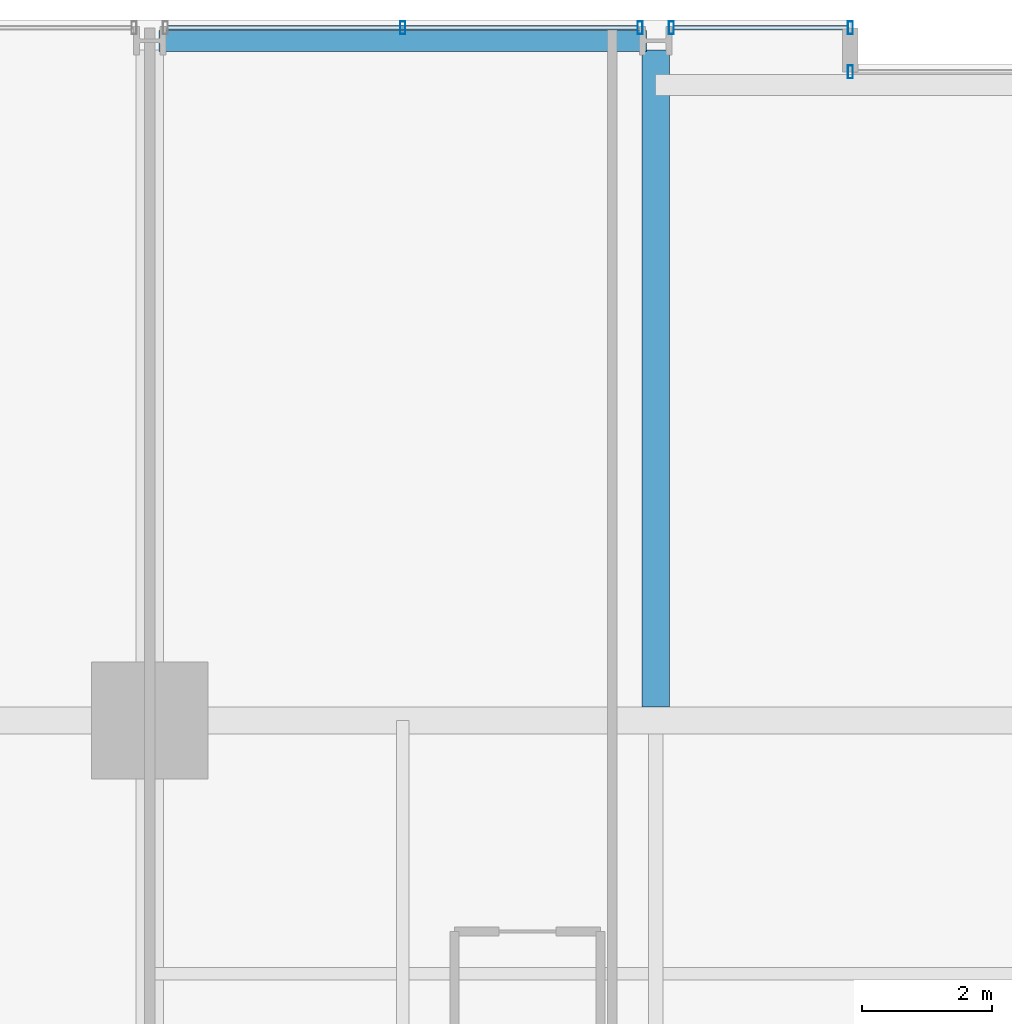
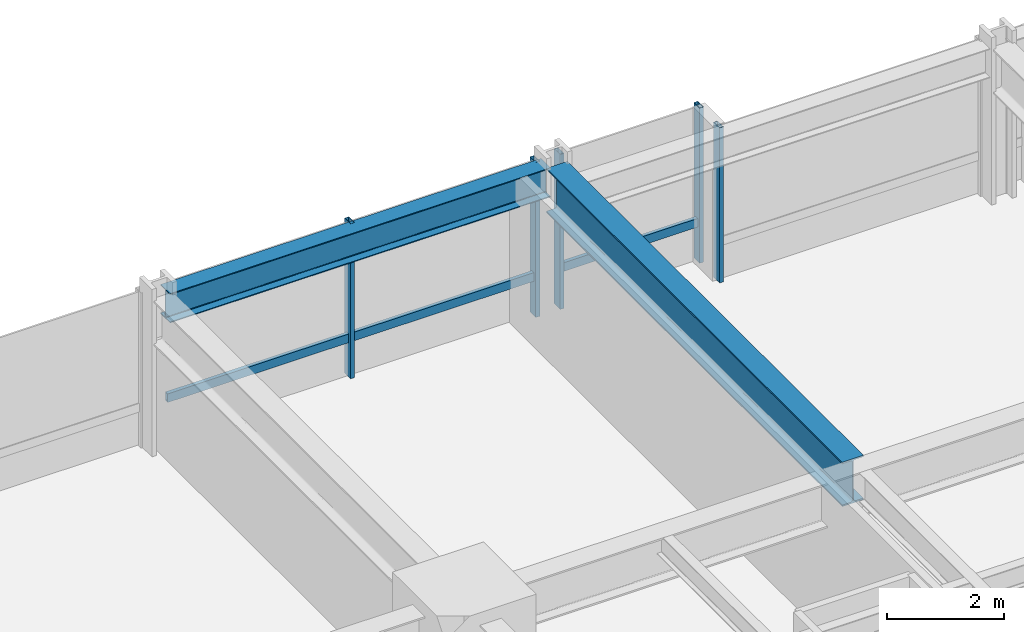
# One storey, part 22 of 38: 7 members, 2 beams, 3 elements without a shape of their own.
"""IFC4 building model written with IfcOpenShell, lengths in metres."""

from ifc_helpers import new_model, si_unit, direction, frame, origin, origin_2d, place, context, subcontext, project, spatial, hollow_rectangle, i_section, extrude, material, layer, layer_set, material_profile, profile_set, type_object, element, aggregate, save


model = new_model("IFC4")

# Units and contexts
model_context = context("Model", 3, precision=1e-05, world=origin(), true_north=direction((0.0, 1.0)))
body_context = subcontext(model_context, "Body", "Model", "MODEL_VIEW")
ifc_project = project(units=[si_unit("LENGTHUNIT", "METRE"), si_unit("AREAUNIT", "SQUARE_METRE"), si_unit("VOLUMEUNIT", "CUBIC_METRE"), si_unit("PLANEANGLEUNIT", "RADIAN"), si_unit("MASSUNIT", "GRAM", prefix="KILO")], contexts=[model_context])

# Site, building, storey
site_placement = place(None, origin())
site = spatial("IfcSite", under=ifc_project, at=site_placement, CompositionType="ELEMENT")
building_placement = place(site_placement, origin())
building = spatial("IfcBuilding", under=site, at=building_placement, Name="Drelvath Grand Hotel", CompositionType="ELEMENT")
storey_placement = place(building_placement, frame((0.0, 0.0, 50.699951171875)))
storey = spatial("IfcBuildingStorey", under=building, at=storey_placement, Name="L11", CompositionType="ELEMENT", Elevation=50.699951171875)

# Curtain wall, member
ifc_material_1 = material(Name="Warm Bronze Anodised Aluminium Frame", Category="aluminium")
ifc_layer = layer(ifc_material_1, 0.199951171875)
ifc_layer_set = layer_set([ifc_layer], Name="Warm Bronze Anodised Aluminium Frame")
curtain_wall_type = type_object("IfcCurtainWallType", Name="Stick Curtain Wall CW-02 Warm Bronze Low-Rise", PredefinedType="NOTDEFINED", material=ifc_layer_set)
curtain_wall_1_placement = place(storey_placement, origin())
curtain_wall_1 = element("IfcCurtainWall", 1, at=curtain_wall_1_placement, inside=storey, type_object=curtain_wall_type, Name="L11 CW-02 Curtain Wall CW02-L11-NW2", PredefinedType="NOTDEFINED")
ifc_material_profile_1 = material_profile(ifc_material_1, hollow_rectangle(XDim=0.074951171875, YDim=0.179931640625, WallThickness=0.0048828125, at=origin_2d()), Name="HSS180X75X5")
ifc_profile_set_1 = profile_set([ifc_material_profile_1], Name="Warm Bronze Anodised Aluminium Frame")
member_type_1 = type_object("IfcMemberType", Name="Curtain Wall Horizontal Transom CW-02 HSS180X75X5", PredefinedType="USERDEFINED", material=ifc_profile_set_1)
member_1_placement = place(storey_placement, frame((-15.919189453125, 53.8798828125, 0.81005859375), z_axis=(1.0, 0.0, 0.0), x_axis=(0.0, 1.0, 0.0)))
member_1 = element("IfcMember", 2, at=member_1_placement, type_object=member_type_1, Name="CW02-L11-NW2 Sill Transom", ObjectType="TRANSOM", PredefinedType="USERDEFINED", context=body_context, shape_type="SweptSolid", body=[
    extrude(hollow_rectangle(XDim=0.074951171875, YDim=0.179931640625, WallThickness=0.0048828125, at=origin_2d()), origin(), (0.0, 0.0, 1.0), 7.23828125),
])

curtain_wall_2_placement = place(storey_placement, origin())
curtain_wall_2 = element("IfcCurtainWall", 3, at=curtain_wall_2_placement, inside=storey, type_object=curtain_wall_type, Name="L11 CW-02 Curtain Wall CW02-L11-NW3", PredefinedType="NOTDEFINED")
member_2_placement = place(storey_placement, frame((-8.119140625, 53.8798828125, 0.81005859375), z_axis=(1.0, 0.0, 0.0), x_axis=(0.0, 1.0, 0.0)))
member_2 = element("IfcMember", 4, at=member_2_placement, type_object=member_type_1, Name="CW02-L11-NW3 Sill Transom", ObjectType="TRANSOM", PredefinedType="USERDEFINED", context=body_context, shape_type="SweptSolid", body=[
    extrude(hollow_rectangle(XDim=0.074951171875, YDim=0.179931640625, WallThickness=0.0048828125, at=origin_2d()), origin(), (0.0, 0.0, 1.0), 2.67919921875),
])

# Member
ifc_material_profile_2 = material_profile(ifc_material_1, hollow_rectangle(XDim=0.080078125, YDim=0.199951171875, WallThickness=0.0048828125, at=origin_2d()), Name="HSS200X80X5")
ifc_profile_set_2 = profile_set([ifc_material_profile_2], Name="Warm Bronze Anodised Aluminium Frame")
member_type_2 = type_object("IfcMemberType", Name="Curtain Wall Vertical Mullion CW-02 HSS200X80X5", PredefinedType="MULLION", material=ifc_profile_set_2)
member_3_placement = place(storey_placement, frame((-12.300048828125, 53.8798828125, 0.0), z_axis=(0.0, 0.0, 1.0), x_axis=(1.0, 0.0, 0.0)))
member_3 = element("IfcMember", 5, at=member_3_placement, type_object=member_type_2, Name="CW02-L11-NW2 Mullion 2", PredefinedType="MULLION", context=body_context, shape_type="SweptSolid", body=[
    extrude(hollow_rectangle(XDim=0.080078125, YDim=0.199951171875, WallThickness=0.0048828125, at=origin_2d()), origin(), (0.0, 0.0, 1.0), 3.239990234375),
])

member_4_placement = place(storey_placement, frame((-8.640869140625, 53.8798828125, 0.0), z_axis=(0.0, 0.0, 1.0), x_axis=(1.0, 0.0, 0.0)))
member_4 = element("IfcMember", 6, at=member_4_placement, type_object=member_type_2, Name="CW02-L11-NW2 Mullion 3", PredefinedType="MULLION", context=body_context, shape_type="SweptSolid", body=[
    extrude(hollow_rectangle(XDim=0.080078125, YDim=0.199951171875, WallThickness=0.0048828125, at=origin_2d()), origin(), (0.0, 0.0, 1.0), 3.239990234375),
])

aggregate(curtain_wall_1, [member_3, member_4, member_1])

member_5_placement = place(storey_placement, frame((-8.1591796875, 53.8798828125, 0.0), z_axis=(0.0, 0.0, 1.0), x_axis=(1.0, 0.0, 0.0)))
member_5 = element("IfcMember", 7, at=member_5_placement, type_object=member_type_2, Name="CW02-L11-NW3 Mullion 1", PredefinedType="MULLION", context=body_context, shape_type="SweptSolid", body=[
    extrude(hollow_rectangle(XDim=0.080078125, YDim=0.199951171875, WallThickness=0.0048828125, at=origin_2d()), origin(), (0.0, 0.0, 1.0), 3.239990234375),
])

member_6_placement = place(storey_placement, frame((-5.39990234375, 53.8798828125, 0.0), z_axis=(0.0, 0.0, 1.0), x_axis=(1.0, 0.0, 0.0)))
member_6 = element("IfcMember", 8, at=member_6_placement, type_object=member_type_2, Name="CW02-L11-NW3 Mullion 2", PredefinedType="MULLION", context=body_context, shape_type="SweptSolid", body=[
    extrude(hollow_rectangle(XDim=0.080078125, YDim=0.199951171875, WallThickness=0.0048828125, at=origin_2d()), origin(), (0.0, 0.0, 1.0), 3.239990234375),
])

aggregate(curtain_wall_2, [member_5, member_6, member_2])

# Curtain wall, member
curtain_wall_3_placement = place(storey_placement, origin())
curtain_wall_3 = element("IfcCurtainWall", 9, at=curtain_wall_3_placement, inside=storey, type_object=curtain_wall_type, Name="L11 CW-02 Curtain Wall CW02-L11-NM1", PredefinedType="NOTDEFINED")
member_7_placement = place(storey_placement, frame((-5.39990234375, 53.199951171875, 0.0), z_axis=(0.0, 0.0, 1.0), x_axis=(1.0, 0.0, 0.0)))
member_7 = element("IfcMember", 10, at=member_7_placement, type_object=member_type_2, Name="CW02-L11-NM1 Mullion 1", PredefinedType="MULLION", context=body_context, shape_type="SweptSolid", body=[
    extrude(hollow_rectangle(XDim=0.080078125, YDim=0.199951171875, WallThickness=0.0048828125, at=origin_2d()), origin(), (0.0, 0.0, 1.0), 3.239990234375),
])
aggregate(curtain_wall_3, [member_7])

# Beams
ifc_material_2 = material(Name="Steel ASTM A992 Gr 50", Category="steel")
ifc_material_profile_3 = material_profile(ifc_material_2, i_section(OverallWidth=0.323974609375, OverallDepth=0.611083984375, WebThickness=0.0126953125, FlangeThickness=0.01904296875, FilletRadius=0.02197265625, at=origin_2d()), Name="W24X104")
ifc_profile_set_3 = profile_set([ifc_material_profile_3], Name="Steel ASTM A992 Gr 50")
beam_type_1 = type_object("IfcBeamType", Name="Perimeter Spandrel Beam W24X104", PredefinedType="SPANDREL", material=ifc_profile_set_3)
beam_1_placement = place(storey_placement, frame((-16.06005859375, 53.679931640625, 2.9345703125), z_axis=(1.0, 0.0, 0.0), x_axis=(0.0, 1.0, 0.0)))
element("IfcBeam", 11, at=beam_1_placement, inside=storey, type_object=beam_type_1, Name="L11 Spandrel North W", PredefinedType="SPANDREL", context=body_context, shape_type="SweptSolid", body=[
    extrude(i_section(OverallWidth=0.323974609375, OverallDepth=0.611083984375, WebThickness=0.0126953125, FlangeThickness=0.01904296875, FilletRadius=0.02197265625, at=origin_2d()), origin(), (0.0, 0.0, 1.0), 7.52001953125),
])
ifc_material_profile_4 = material_profile(ifc_material_2, i_section(OverallWidth=0.418212890625, OverallDepth=0.926513671875, WebThickness=0.019287109375, FlangeThickness=0.031982421875, FilletRadius=0.028076171875, at=origin_2d()), Name="W36X231")
ifc_profile_set_4 = profile_set([ifc_material_profile_4], Name="Steel ASTM A992 Gr 50")
beam_type_2 = type_object("IfcBeamType", Name="Primary Floor Girder W36X231", PredefinedType="BEAM", material=ifc_profile_set_4)
beam_2_placement = place(storey_placement, frame((-8.39990234375, 43.4091796875, 2.77685546875), z_axis=(0.0, 1.0, 0.0), x_axis=(-1.0, 0.0, 0.0)))
element("IfcBeam", 12, at=beam_2_placement, inside=storey, type_object=beam_type_2, Name="L11 North Wing Girder 4", PredefinedType="BEAM", context=body_context, shape_type="SweptSolid", body=[
    extrude(i_section(OverallWidth=0.418212890625, OverallDepth=0.926513671875, WebThickness=0.019287109375, FlangeThickness=0.031982421875, FilletRadius=0.028076171875, at=origin_2d()), origin(), (0.0, 0.0, 1.0), 10.130859375),
])

save(model, "model.ifc")
